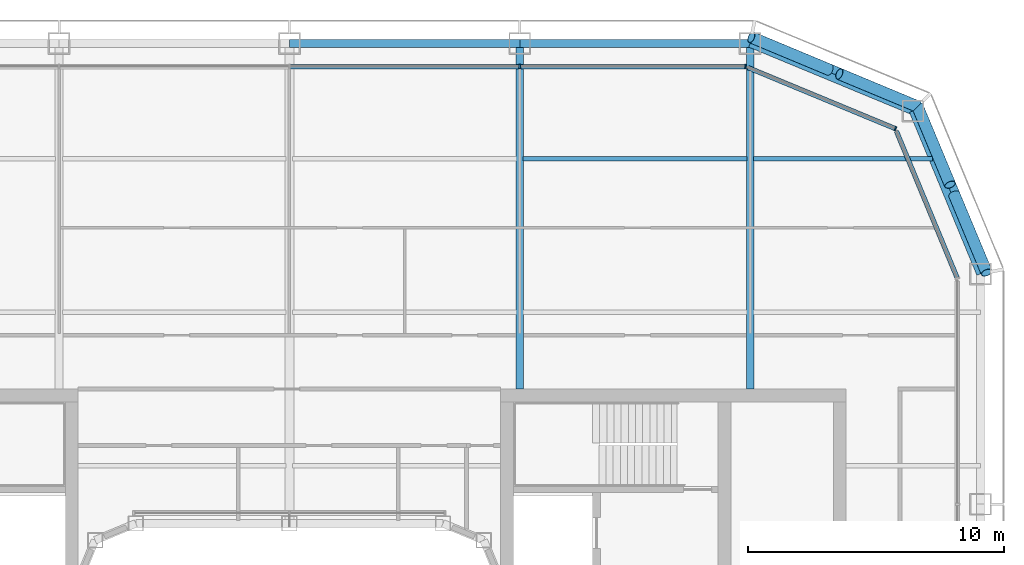
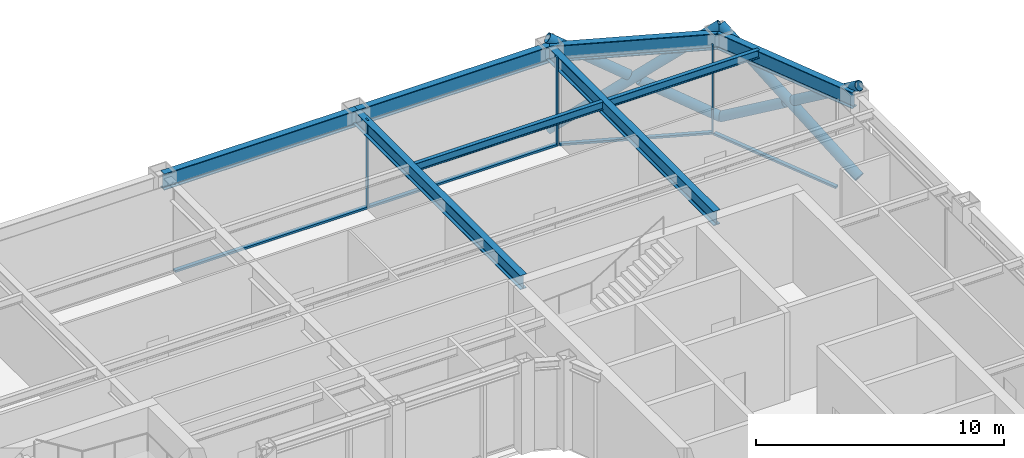
# One storey, part 10 of 23: 13 members, 8 beams, 3 elements without a shape of their own.
"""IFC4 building model written with IfcOpenShell, lengths in metres."""

from ifc_helpers import new_model, si_unit, direction, frame, origin, origin_2d, place, context, subcontext, project, spatial, rectangle, hollow_circle, i_section, extrude, material, layer, layer_set, material_profile, profile_set, type_object, element, aggregate, save


model = new_model("IFC4")

# Units and contexts
model_context = context("Model", 3, precision=1e-05, world=origin(), true_north=direction((0.0, 1.0)))
body_context = subcontext(model_context, "Body", "Model", "MODEL_VIEW")
ifc_project = project(units=[si_unit("LENGTHUNIT", "METRE"), si_unit("AREAUNIT", "SQUARE_METRE"), si_unit("VOLUMEUNIT", "CUBIC_METRE"), si_unit("PLANEANGLEUNIT", "RADIAN"), si_unit("MASSUNIT", "GRAM", prefix="KILO")], contexts=[model_context])

# Site, building, storey
site_placement = place(None, origin())
site = spatial("IfcSite", under=ifc_project, at=site_placement, CompositionType="ELEMENT")
building_placement = place(site_placement, origin())
building = spatial("IfcBuilding", under=site, at=building_placement, Name="Siwar Civic Tower", CompositionType="ELEMENT")
storey_placement = place(building_placement, frame((0.0, 0.0, 197.199951171875)))
storey = spatial("IfcBuildingStorey", under=building, at=storey_placement, Name="L42", CompositionType="ELEMENT", Elevation=197.199951171875)

# Curtain wall, member
ifc_material_1 = material(Name="Aluminium clad insulated panel", Category="aluminium")
ifc_layer_1 = layer(ifc_material_1, 0.179931640625)
ifc_layer_set_1 = layer_set([ifc_layer_1], Name="Aluminium clad insulated panel")
curtain_wall_type_1 = type_object("IfcCurtainWallType", Name="ENV-CW-CX", PredefinedType="NOTDEFINED", material=ifc_layer_set_1)
curtain_wall_1_placement = place(storey_placement, origin())
curtain_wall_1 = element("IfcCurtainWall", 1, at=curtain_wall_1_placement, inside=storey, type_object=curtain_wall_type_1, Name="Curtain wall C NE2", PredefinedType="NOTDEFINED")
ifc_material_2 = material(Name="Aluminium 6063-T6", Category="aluminium")
ifc_material_profile_1 = material_profile(ifc_material_2, rectangle(XDim=0.179931640625, YDim=0.06005859375, at=origin_2d()), Name="AL 180x60")
ifc_profile_set_1 = profile_set([ifc_material_profile_1], Name="Aluminium 6063-T6")
member_type_1 = type_object("IfcMemberType", Name="ENV-MULLION-C", PredefinedType="MULLION", material=ifc_profile_set_1)
member_1_placement = place(storey_placement, frame((23.675048828125, 23.675048828125, 0.0), z_axis=(0.0, 0.0, 1.0), x_axis=(-0.382683432365, -0.923879532511, 0.0)))
member_1 = element("IfcMember", 2, at=member_1_placement, type_object=member_type_1, Name="Mullion C NE2 1", PredefinedType="MULLION", context=body_context, shape_type="SweptSolid", body=[
    extrude(rectangle(XDim=0.179931640625, YDim=0.06005859375, at=origin_2d()), origin(), (0.0, 0.0, 1.0), 4.35009765625),
])

# Curtain wall, members
ifc_material_3 = material(Name="Aluminium and glass", Category="aluminium")
ifc_layer_2 = layer(ifc_material_3, 0.179931640625)
ifc_layer_set_2 = layer_set([ifc_layer_2], Name="Aluminium and glass")
curtain_wall_type_2 = type_object("IfcCurtainWallType", Name="ENV-CW-C", PredefinedType="NOTDEFINED", material=ifc_layer_set_2)
curtain_wall_2_placement = place(storey_placement, origin())
curtain_wall_2 = element("IfcCurtainWall", 3, at=curtain_wall_2_placement, inside=storey, type_object=curtain_wall_type_2, Name="Curtain wall C N", PredefinedType="NOTDEFINED")
member_2_placement = place(storey_placement, frame((17.821044921875, 26.10009765625, 0.0), z_axis=(0.0, 0.0, 1.0), x_axis=(0.0, -1.0, 0.0)))
member_2 = element("IfcMember", 4, at=member_2_placement, type_object=member_type_1, Name="Mullion C N 1", PredefinedType="MULLION", context=body_context, shape_type="SweptSolid", body=[
    extrude(rectangle(XDim=0.179931640625, YDim=0.06005859375, at=origin_2d()), origin(), (0.0, 0.0, 1.0), 4.35009765625),
])
member_3_placement = place(storey_placement, frame((9.0, 26.10009765625, 0.0), z_axis=(0.0, 0.0, 1.0), x_axis=(0.0, -1.0, 0.0)))
member_3 = element("IfcMember", 5, at=member_3_placement, type_object=member_type_1, Name="Mullion C N 2", PredefinedType="MULLION", context=body_context, shape_type="SweptSolid", body=[
    extrude(rectangle(XDim=0.179931640625, YDim=0.06005859375, at=origin_2d()), origin(), (0.0, 0.0, 1.0), 4.35009765625),
])

# Curtain wall, member
curtain_wall_3_placement = place(storey_placement, origin())
curtain_wall_3 = element("IfcCurtainWall", 6, at=curtain_wall_3_placement, inside=storey, type_object=curtain_wall_type_1, Name="Curtain wall C NE1", PredefinedType="NOTDEFINED")
ifc_material_4 = material(Name="Aluminium 6063-T6", Category="aluminium")
ifc_material_profile_2 = material_profile(ifc_material_4, rectangle(XDim=0.179931640625, YDim=0.10009765625, at=origin_2d()), Name="AL 180x100")
ifc_profile_set_2 = profile_set([ifc_material_profile_2], Name="Aluminium 6063-T6")
member_type_2 = type_object("IfcMemberType", Name="ENV-TRANSOM-C", PredefinedType="USERDEFINED", material=ifc_profile_set_2)
member_4_placement = place(storey_placement, frame((26.088623046875, 17.8486328125, 0.050048828125), z_axis=(-0.38267744817, 0.923882011223, 0.0), x_axis=(-0.923882011223, -0.38267744817, 0.0)))
member_4 = element("IfcMember", 7, at=member_4_placement, type_object=member_type_2, Name="Transom C NE1 1", ObjectType="TRANSOM", PredefinedType="USERDEFINED", context=body_context, shape_type="SweptSolid", body=[
    extrude(rectangle(XDim=0.179931640625, YDim=0.10009765625, at=origin_2d()), origin(), (0.0, 0.0, 1.0), 6.201904296875),
])
aggregate(curtain_wall_3, [member_4])

# Member
member_5_placement = place(storey_placement, frame((23.6474609375, 23.6865234375, 0.050048828125), z_axis=(-0.923876246063, 0.382691366456, 0.0), x_axis=(-0.382691366456, -0.923876246063, 0.0)))
member_5 = element("IfcMember", 8, at=member_5_placement, type_object=member_type_2, Name="Transom C NE2 1", ObjectType="TRANSOM", PredefinedType="USERDEFINED", context=body_context, shape_type="SweptSolid", body=[
    extrude(rectangle(XDim=0.179931640625, YDim=0.10009765625, at=origin_2d()), origin(), (0.0, 0.0, 1.0), 6.20166015625),
])

aggregate(curtain_wall_1, [member_1, member_5])

member_6_placement = place(storey_placement, frame((17.791015625, 26.10009765625, 0.050048828125), z_axis=(-1.0, 0.0, 0.0), x_axis=(0.0, -1.0, 0.0)))
member_6 = element("IfcMember", 9, at=member_6_placement, type_object=member_type_2, Name="Transom C N 1", ObjectType="TRANSOM", PredefinedType="USERDEFINED", context=body_context, shape_type="SweptSolid", body=[
    extrude(rectangle(XDim=0.179931640625, YDim=0.10009765625, at=origin_2d()), origin(), (0.0, 0.0, 1.0), 8.760986328125),
])

member_7_placement = place(storey_placement, frame((8.969970703125, 26.10009765625, 0.050048828125), z_axis=(-1.0, 0.0, 0.0), x_axis=(0.0, -1.0, 0.0)))
member_7 = element("IfcMember", 10, at=member_7_placement, type_object=member_type_2, Name="Transom C N 2", ObjectType="TRANSOM", PredefinedType="USERDEFINED", context=body_context, shape_type="SweptSolid", body=[
    extrude(rectangle(XDim=0.179931640625, YDim=0.10009765625, at=origin_2d()), origin(), (0.0, 0.0, 1.0), 8.93994140625),
])

aggregate(curtain_wall_2, [member_2, member_3, member_6, member_7])

# Members
ifc_material_5 = material(Name="Steel S355", Category="steel")
ifc_material_profile_3 = material_profile(ifc_material_5, hollow_circle(Radius=0.228515625, WallThickness=0.02001953125, at=origin_2d()), Name="CHS457x20")
ifc_profile_set_3 = profile_set([ifc_material_profile_3], Name="Steel S355")
member_type_3 = type_object("IfcMemberType", Name="STR-BR-CHS457x20", PredefinedType="BRACE", material=ifc_profile_set_3)
member_8_placement = place(storey_placement, frame((18.048828125, 27.2451171875, 0.0), z_axis=(0.777554562952, -0.323905527954, 0.538975055633), x_axis=(0.384538969033, 0.923108759191, 0.0)))
element("IfcMember", 11, at=member_8_placement, inside=storey, type_object=member_type_3, Name="L42/brc/CNE1-2-0-1", PredefinedType="BRACE", context=body_context, shape_type="SweptSolid", body=[
    extrude(hollow_circle(Radius=0.228515625, WallThickness=0.02001953125, at=origin_2d()), origin(), (0.0, 0.0, 1.0), 8.34912109375),
])
for number, where, z_axis, x_axis, name in (
    (12, (24.540771484375, 24.540771484375, 0.0), (-0.777546448489, 0.323884455881, 0.538999424564), (-0.38452107079, -0.92311621485, 0.0), "L42/brc/CNE1-2-0-2"),
    (13, (21.10302734375, 25.972900390625, 2.383056640625), (-0.777572496853, 0.323895306243, 0.538955325357), (-0.38452107079, -0.92311621485, 0.0), "L42/brc/CNE1-2-0-3"),
):
    element("IfcMember", number, at=place(storey_placement, frame(where, z_axis=z_axis, x_axis=x_axis)), inside=storey, type_object=member_type_3, Name=name, PredefinedType="BRACE", context=body_context, shape_type="SweptSolid", body=[
        extrude(hollow_circle(Radius=0.228515625, WallThickness=0.02001953125, at=origin_2d()), origin(), (0.0, 0.0, 1.0), 3.927978515625),
    ])
member_9_placement = place(storey_placement, frame((27.2451171875, 18.048828125, 0.0), z_axis=(-0.323905527954, 0.777554562952, 0.538975055633), x_axis=(-0.923108759191, -0.384538969033, 0.0)))
element("IfcMember", 14, at=member_9_placement, inside=storey, type_object=member_type_3, Name="L42/brc/CNE1-2-0-0", PredefinedType="BRACE", context=body_context, shape_type="SweptSolid", body=[
    extrude(hollow_circle(Radius=0.228515625, WallThickness=0.02001953125, at=origin_2d()), origin(), (0.0, 0.0, 1.0), 8.34912109375),
])
for number, where, z_axis, x_axis, name in (
    (15, (24.540771484375, 24.540771484375, 0.0), (0.323884455881, -0.777546448489, 0.538999424564), (0.92311621485, 0.38452107079, 0.0), "L42/brc/CNE1-2-0-4"),
    (16, (25.972900390625, 21.10302734375, 2.383056640625), (0.323895306243, -0.777572496853, 0.538955325357), (0.92311621485, 0.38452107079, 0.0), "L42/brc/CNE1-2-0-5"),
):
    element("IfcMember", number, at=place(storey_placement, frame(where, z_axis=z_axis, x_axis=x_axis)), inside=storey, type_object=member_type_3, Name=name, PredefinedType="BRACE", context=body_context, shape_type="SweptSolid", body=[
        extrude(hollow_circle(Radius=0.228515625, WallThickness=0.02001953125, at=origin_2d()), origin(), (0.0, 0.0, 1.0), 3.927978515625),
    ])

# Beams
ifc_material_6 = material(Name="Steel S355", Category="steel")
ifc_material_profile_4 = material_profile(ifc_material_6, i_section(OverallWidth=0.179931640625, OverallDepth=0.39990234375, WebThickness=0.008544921875, FlangeThickness=0.013427734375, FilletRadius=0.02099609375, at=origin_2d()), Name="IPE400")
ifc_profile_set_4 = profile_set([ifc_material_profile_4], Name="Steel S355")
beam_type_1 = type_object("IfcBeamType", Name="STR-FB-IPE400", PredefinedType="JOIST", material=ifc_profile_set_4)
beam_1_placement = place(storey_placement, frame((9.1298828125, 22.5, 4.150146484375), z_axis=(1.0, 0.0, 0.0), x_axis=(0.0, 1.0, 0.0)))
element("IfcBeam", 17, at=beam_1_placement, inside=storey, type_object=beam_type_1, Name="L42/bm/F041", PredefinedType="JOIST", context=body_context, shape_type="SweptSolid", body=[
    extrude(i_section(OverallWidth=0.179931640625, OverallDepth=0.39990234375, WebThickness=0.008544921875, FlangeThickness=0.013427734375, FilletRadius=0.02099609375, at=origin_2d()), origin(), (0.0, 0.0, 1.0), 8.740234375),
])
beam_2_placement = place(storey_placement, frame((18.1298828125, 22.5, 4.150146484375), z_axis=(1.0, 0.0, 0.0), x_axis=(0.0, 1.0, 0.0)))
element("IfcBeam", 18, at=beam_2_placement, inside=storey, type_object=beam_type_1, Name="L42/bm/F042", PredefinedType="JOIST", context=body_context, shape_type="SweptSolid", body=[
    extrude(i_section(OverallWidth=0.179931640625, OverallDepth=0.39990234375, WebThickness=0.008544921875, FlangeThickness=0.013427734375, FilletRadius=0.02099609375, at=origin_2d()), origin(), (0.0, 0.0, 1.0), 7.006103515625),
])
ifc_material_7 = material(Name="Steel S355", Category="steel")
ifc_material_profile_5 = material_profile(ifc_material_7, i_section(OverallWidth=0.300048828125, OverallDepth=0.699951171875, WebThickness=0.01708984375, FlangeThickness=0.031982421875, FilletRadius=0.027099609375, at=origin_2d()), Name="HEB700")
ifc_profile_set_5 = profile_set([ifc_material_profile_5], Name="Steel S355")
beam_type_2 = type_object("IfcBeamType", Name="STR-PG-HEB700", PredefinedType="BEAM", material=ifc_profile_set_5)
for number, where, z_axis, x_axis, name in (
    (19, (9.0, 13.5, 4.0), (0.0, 1.0, 0.0), (-1.0, 0.0, 0.0), "L42/bm/G08"),
    (20, (18.0, 13.5, 4.0), (0.0, 1.0, 0.0), (-1.0, 0.0, 0.0), "L42/bm/G10"),
):
    element("IfcBeam", number, at=place(storey_placement, frame(where, z_axis=z_axis, x_axis=x_axis)), inside=storey, type_object=beam_type_2, Name=name, PredefinedType="BEAM", context=body_context, shape_type="SweptSolid", body=[
        extrude(i_section(OverallWidth=0.300048828125, OverallDepth=0.699951171875, WebThickness=0.01708984375, FlangeThickness=0.031982421875, FilletRadius=0.027099609375, at=origin_2d()), origin(), (0.0, 0.0, 1.0), 13.5),
    ])
ifc_material_8 = material(Name="Steel S355", Category="steel")
ifc_material_profile_6 = material_profile(ifc_material_8, i_section(OverallWidth=0.300048828125, OverallDepth=0.800048828125, WebThickness=0.017578125, FlangeThickness=0.032958984375, FilletRadius=0.030029296875, at=origin_2d()), Name="HEB800")
ifc_profile_set_6 = profile_set([ifc_material_profile_6], Name="Steel S355")
beam_type_3 = type_object("IfcBeamType", Name="STR-SB-HEB800", PredefinedType="BEAM", material=ifc_profile_set_6)
for number, where, z_axis, x_axis, name in (
    (21, (27.0, 18.0, 3.949951171875), (-0.382674207535, 0.923883353507, 0.0), (-0.923883353507, -0.382674207535, 0.0), "L42/bm/SNE1-0"),
    (22, (24.364013671875, 24.364013671875, 3.949951171875), (-0.923883353507, 0.382674207535, 0.0), (-0.382674207535, -0.923883353507, 0.0), "L42/bm/SNE2-0"),
):
    element("IfcBeam", number, at=place(storey_placement, frame(where, z_axis=z_axis, x_axis=x_axis)), inside=storey, type_object=beam_type_3, Name=name, PredefinedType="BEAM", context=body_context, shape_type="SweptSolid", body=[
        extrude(i_section(OverallWidth=0.300048828125, OverallDepth=0.800048828125, WebThickness=0.017578125, FlangeThickness=0.032958984375, FilletRadius=0.030029296875, at=origin_2d()), origin(), (0.0, 0.0, 1.0), 6.888427734375),
    ])
for number, where, z_axis, x_axis, name in (
    (23, (18.0, 27.0, 3.949951171875), (-1.0, 0.0, 0.0), (0.0, -1.0, 0.0), "L42/bm/SN-0"),
    (24, (9.0, 27.0, 3.949951171875), (-1.0, 0.0, 0.0), (0.0, -1.0, 0.0), "L42/bm/SN-1"),
):
    element("IfcBeam", number, at=place(storey_placement, frame(where, z_axis=z_axis, x_axis=x_axis)), inside=storey, type_object=beam_type_3, Name=name, PredefinedType="BEAM", context=body_context, shape_type="SweptSolid", body=[
        extrude(i_section(OverallWidth=0.300048828125, OverallDepth=0.800048828125, WebThickness=0.017578125, FlangeThickness=0.032958984375, FilletRadius=0.030029296875, at=origin_2d()), origin(), (0.0, 0.0, 1.0), 9.0),
    ])

save(model, "model.ifc")
